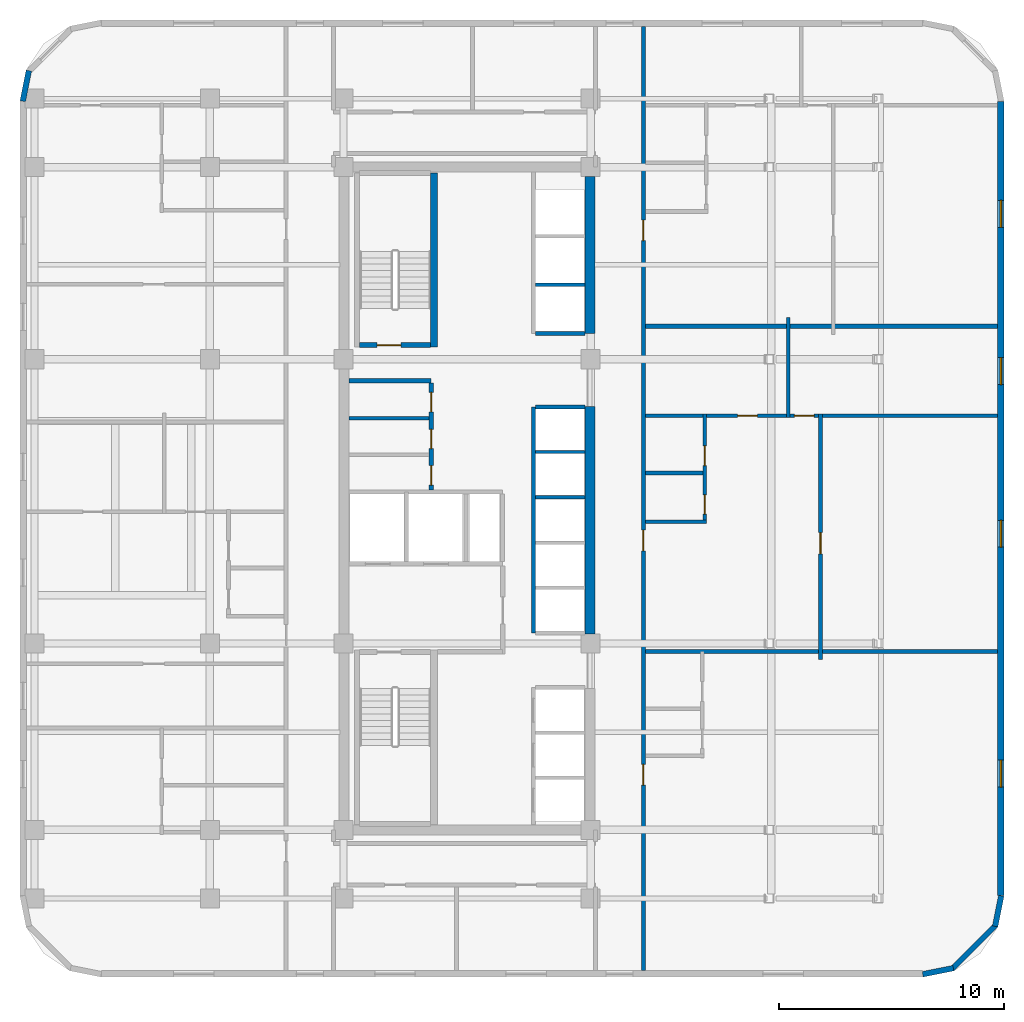
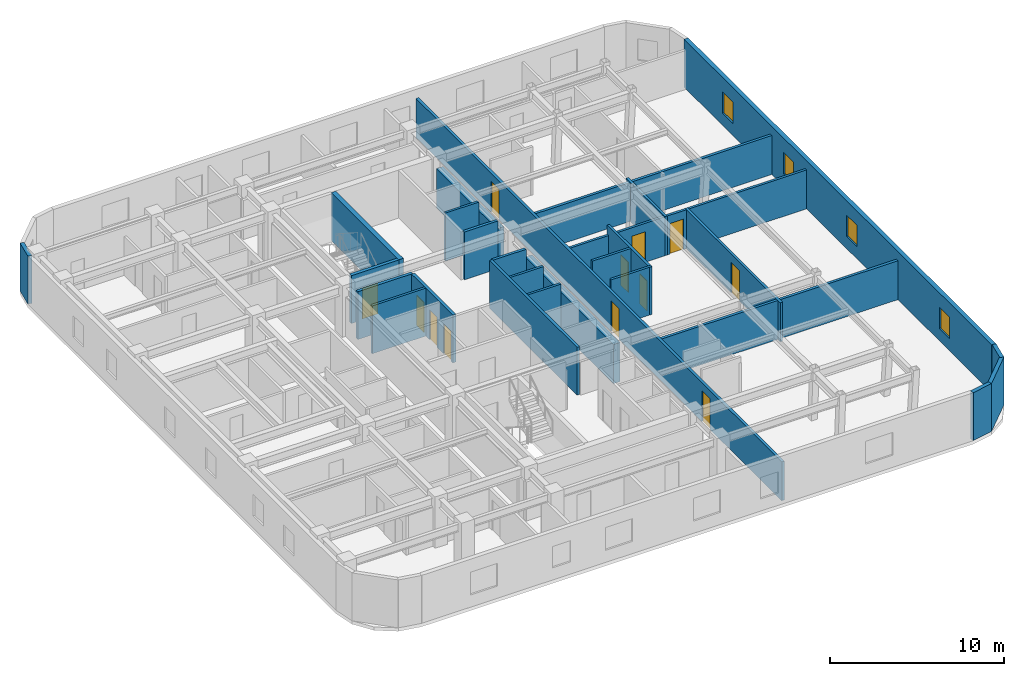
# One storey, part 5 of 8: 27 walls, 12 doors, 4 windows, 16 openings.
"""IFC4 building model written with IfcOpenShell, lengths in metres."""

from ifc_helpers import new_model, si_unit, direction, frame, frame_2d, origin, place, context, subcontext, project, spatial, rectangle, extrude, material, layer, layer_set, type_object, element, fill, save


model = new_model("IFC4")

# Units and contexts
model_context = context("Model", 3, precision=1e-05, world=origin(), true_north=direction((0.0, 1.0)))
body_context = subcontext(model_context, "Body", "Model", "MODEL_VIEW")
ifc_project = project(units=[si_unit("LENGTHUNIT", "METRE"), si_unit("AREAUNIT", "SQUARE_METRE"), si_unit("VOLUMEUNIT", "CUBIC_METRE"), si_unit("PLANEANGLEUNIT", "RADIAN"), si_unit("MASSUNIT", "GRAM", prefix="KILO")], contexts=[model_context])

# Site, building, storey
site_placement = place(None, origin())
site = spatial("IfcSite", under=ifc_project, at=site_placement, CompositionType="ELEMENT")
building_placement = place(site_placement, origin())
building = spatial("IfcBuilding", under=site, at=building_placement, Name="Ochreholt Gables", CompositionType="ELEMENT")
storey_placement = place(building_placement, frame((0.0, 0.0, 91.199951171875)))
storey = spatial("IfcBuildingStorey", under=building, at=storey_placement, Name="L23", CompositionType="ELEMENT", Elevation=91.199951171875)

# Walls
ifc_material_1 = material(Name="Concrete 60 MPa", Category="concrete")
ifc_layer_1 = layer(ifc_material_1, 0.449951171875, Name="Concrete 60 MPa")
ifc_layer_set_1 = layer_set([ifc_layer_1], Name="Concrete 60 MPa")
wall_type_1 = type_object("IfcWallType", Name="WALL-CSW-450", PredefinedType="SHEAR", material=ifc_layer_set_1)
wall_1_placement = place(storey_placement, frame((35.175048828125, 17.97509765625, 0.0), z_axis=(0.0, 0.0, 1.0), x_axis=(0.0, 1.0, 0.0)))
element("IfcWall", 1, at=wall_1_placement, inside=storey, type_object=wall_type_1, Name="L23 Core Central-East Shear Wall", PredefinedType="SHEAR", context=body_context, shape_type="SweptSolid", body=[
    extrude(rectangle(XDim=10.125, YDim=0.449951171875, at=frame_2d((5.0625, 0.0))), origin(), (0.0, 0.0, 1.0), 2.7490234375),
])
wall_2_placement = place(storey_placement, frame((35.175048828125, 31.35009765625, 0.0), z_axis=(0.0, 0.0, 1.0), x_axis=(0.0, 1.0, 0.0)))
element("IfcWall", 2, at=wall_2_placement, inside=storey, type_object=wall_type_1, Name="L23 Core North-East Shear Wall", PredefinedType="SHEAR", context=body_context, shape_type="SweptSolid", body=[
    extrude(rectangle(XDim=6.974853515625, YDim=0.449951171875, at=frame_2d((3.4873046875, 0.0))), origin(), (0.0, 0.0, 1.0), 2.7490234375),
])

# Wall, openings, windows
ifc_material_2 = material(Name="Precast concrete 40 MPa", Category="concrete")
ifc_layer_2 = layer(ifc_material_2, 0.280029296875, Name="Precast concrete 40 MPa")
ifc_layer_set_2 = layer_set([ifc_layer_2], Name="Precast concrete 40 MPa")
wall_type_2 = type_object("IfcWallType", Name="WALL-EXT-280", PredefinedType="SOLIDWALL", material=ifc_layer_set_2)
wall_3_placement = place(storey_placement, frame((53.4599609375, 6.320068359375, 0.0), z_axis=(0.0, 0.0, 1.0), x_axis=(0.0, 1.0, 0.0)))
wall_3 = element("IfcWall", 3, at=wall_3_placement, inside=storey, type_object=wall_type_2, Name="L23 East Exterior Wall", PredefinedType="SOLIDWALL", context=body_context, shape_type="SweptSolid", body=[
    extrude(rectangle(XDim=35.35986328125, YDim=0.280029296875, at=frame_2d((17.679931640625, 0.0))), origin(), (0.0, 0.0, 1.0), 3.360107421875),
])
opening_1_placement = place(wall_3_placement, frame((4.83203125, 0.0, 0.85009765625)))
opening_1 = element("IfcOpeningElement", 4, at=opening_1_placement, cuts=wall_3, Name="Opening WN-3", PredefinedType="OPENING", context=body_context, shape_type="SweptSolid", body=[
    extrude(rectangle(XDim=1.199951171875, YDim=1.5, at=frame_2d((0.60009765625, 0.75))), frame((0.0, 0.14990234375, 0.0), z_axis=(0.0, -1.0, 0.0), x_axis=(1.0, 0.0, 0.0)), (0.0, 0.0, 1.0), 0.300048828125),
])
opening_2_placement = place(wall_3_placement, frame((15.510986328125, 0.0, 0.85009765625)))
opening_2 = element("IfcOpeningElement", 5, at=opening_2_placement, cuts=wall_3, Name="Opening WN-3", PredefinedType="OPENING", context=body_context, shape_type="SweptSolid", body=[
    extrude(rectangle(XDim=1.199951171875, YDim=1.5, at=frame_2d((0.60009765625, 0.75))), frame((0.0, 0.14990234375, 0.0), z_axis=(0.0, -1.0, 0.0), x_axis=(1.0, 0.0, 0.0)), (0.0, 0.0, 1.0), 0.300048828125),
])
opening_3_placement = place(wall_3_placement, frame((22.7529296875, 0.0, 0.85009765625)))
opening_3 = element("IfcOpeningElement", 6, at=opening_3_placement, cuts=wall_3, Name="Opening WN-3", PredefinedType="OPENING", context=body_context, shape_type="SweptSolid", body=[
    extrude(rectangle(XDim=1.199951171875, YDim=1.5, at=frame_2d((0.60009765625, 0.75))), frame((0.0, 0.14990234375, 0.0), z_axis=(0.0, -1.0, 0.0), x_axis=(1.0, 0.0, 0.0)), (0.0, 0.0, 1.0), 0.300048828125),
])
opening_4_placement = place(wall_3_placement, frame((29.75390625, 0.0, 0.85009765625)))
opening_4 = element("IfcOpeningElement", 7, at=opening_4_placement, cuts=wall_3, Name="Opening WN-3", PredefinedType="OPENING", context=body_context, shape_type="SweptSolid", body=[
    extrude(rectangle(XDim=1.199951171875, YDim=1.5, at=frame_2d((0.60009765625, 0.75))), frame((0.0, 0.14990234375, 0.0), z_axis=(0.0, -1.0, 0.0), x_axis=(1.0, 0.0, 0.0)), (0.0, 0.0, 1.0), 0.300048828125),
])
ifc_material_3 = material(Name="Triple-Glazed Thermally Broken Aluminium Window", Category="aluminium")
window_type = type_object("IfcWindowType", Name="WIN-RES-1200", PartitioningType="SINGLE_PANEL", PredefinedType="WINDOW", material=ifc_material_3)
window_1_placement = place(opening_1_placement, origin())
window_1 = element("IfcWindow", 8, at=window_1_placement, inside=storey, type_object=window_type, Name="L23 Window W-EXT-E-L23-1", OverallHeight=1.5, OverallWidth=1.199951171875, PartitioningType="SINGLE_PANEL", PredefinedType="WINDOW", context=body_context, shape_type="SweptSolid", body=[
    extrude(rectangle(XDim=1.199951171875, YDim=1.5, at=frame_2d((0.60009765625, 0.75))), frame((0.0, 0.030029296875, 0.0), z_axis=(0.0, -1.0, 0.0), x_axis=(1.0, 0.0, 0.0)), (0.0, 0.0, 1.0), 0.06005859375),
])
fill(opening_1, window_1)
window_2_placement = place(opening_2_placement, origin())
window_2 = element("IfcWindow", 9, at=window_2_placement, inside=storey, type_object=window_type, Name="L23 Window W-EXT-E-L23-2", OverallHeight=1.5, OverallWidth=1.199951171875, PartitioningType="SINGLE_PANEL", PredefinedType="WINDOW", context=body_context, shape_type="SweptSolid", body=[
    extrude(rectangle(XDim=1.199951171875, YDim=1.5, at=frame_2d((0.60009765625, 0.75))), frame((0.0, 0.030029296875, 0.0), z_axis=(0.0, -1.0, 0.0), x_axis=(1.0, 0.0, 0.0)), (0.0, 0.0, 1.0), 0.06005859375),
])
fill(opening_2, window_2)
window_3_placement = place(opening_3_placement, origin())
window_3 = element("IfcWindow", 10, at=window_3_placement, inside=storey, type_object=window_type, Name="L23 Window W-EXT-E-L23-3", OverallHeight=1.5, OverallWidth=1.199951171875, PartitioningType="SINGLE_PANEL", PredefinedType="WINDOW", context=body_context, shape_type="SweptSolid", body=[
    extrude(rectangle(XDim=1.199951171875, YDim=1.5, at=frame_2d((0.60009765625, 0.75))), frame((0.0, 0.030029296875, 0.0), z_axis=(0.0, -1.0, 0.0), x_axis=(1.0, 0.0, 0.0)), (0.0, 0.0, 1.0), 0.06005859375),
])
fill(opening_3, window_3)
window_4_placement = place(opening_4_placement, origin())
window_4 = element("IfcWindow", 11, at=window_4_placement, inside=storey, type_object=window_type, Name="L23 Window W-EXT-E-L23-4", OverallHeight=1.5, OverallWidth=1.199951171875, PartitioningType="SINGLE_PANEL", PredefinedType="WINDOW", context=body_context, shape_type="SweptSolid", body=[
    extrude(rectangle(XDim=1.199951171875, YDim=1.5, at=frame_2d((0.60009765625, 0.75))), frame((0.0, 0.030029296875, 0.0), z_axis=(0.0, -1.0, 0.0), x_axis=(1.0, 0.0, 0.0)), (0.0, 0.0, 1.0), 0.06005859375),
])
fill(opening_4, window_4)

# Walls
ifc_layer_3 = layer(ifc_material_2, 0.25, Name="Precast concrete 40 MPa")
ifc_layer_set_3 = layer_set([ifc_layer_3], Name="Precast concrete 40 MPa")
wall_type_3 = type_object("IfcWallType", Name="WALL-EXT-CNR", PredefinedType="SOLIDWALL", material=ifc_layer_set_3)
wall_4_placement = place(storey_placement, frame((49.9833984375, 2.82421875, 0.0), z_axis=(0.0, 0.0, 1.0), x_axis=(0.980809899341, 0.19496651342, 0.0)))
element("IfcWall", 12, at=wall_4_placement, inside=storey, type_object=wall_type_3, Name="L23 Rounded Corner Wall SE-1", PredefinedType="SOLIDWALL", context=body_context, shape_type="SweptSolid", body=[
    extrude(rectangle(XDim=1.388671875, YDim=0.25, at=frame_2d((0.6943359375, 0.0))), origin(), (0.0, 0.0, 1.0), 3.360107421875),
])
wall_5_placement = place(storey_placement, frame((51.294921875, 3.068115234375, 0.0), z_axis=(0.0, 0.0, 1.0), x_axis=(0.707151344399, 0.707062215165, 0.0)))
element("IfcWall", 13, at=wall_5_placement, inside=storey, type_object=wall_type_3, Name="L23 Rounded Corner Wall SE-2", PredefinedType="SOLIDWALL", context=body_context, shape_type="SweptSolid", body=[
    extrude(rectangle(XDim=2.7392578125, YDim=0.25, at=frame_2d((1.36962890625, 0.0))), origin(), (0.0, 0.0, 1.0), 3.360107421875),
])
for number, where, z_axis, x_axis, name in (
    (14, (53.205078125, 4.95458984375, 0.0), (0.0, 0.0, 1.0), (0.195000137217, 0.980803214965, 0.0), "L23 Rounded Corner Wall SE-3"),
    (15, (10.195068359375, 43.04541015625, 0.0), (0.0, 0.0, 1.0), (-0.195000137217, -0.980803214965, 0.0), "L23 Rounded Corner Wall NW-3"),
):
    element("IfcWall", number, at=place(storey_placement, frame(where, z_axis=z_axis, x_axis=x_axis)), inside=storey, type_object=wall_type_3, Name=name, PredefinedType="SOLIDWALL", context=body_context, shape_type="SweptSolid", body=[
        extrude(rectangle(XDim=1.388427734375, YDim=0.25, at=frame_2d((0.6943359375, 0.0))), origin(), (0.0, 0.0, 1.0), 3.360107421875),
    ])
ifc_material_4 = material(Name="Concrete 40 MPa", Category="concrete")
ifc_layer_4 = layer(ifc_material_4, 0.199951171875, Name="Concrete 40 MPa")
ifc_layer_set_4 = layer_set([ifc_layer_4], Name="Concrete 40 MPa")
wall_type_4 = type_object("IfcWallType", Name="WALL-INT-CF200", PredefinedType="STANDARD", material=ifc_layer_set_4)
wall_6_placement = place(storey_placement, frame((24.449951171875, 29.239990234375, 0.0), z_axis=(0.0, 0.0, 1.0), x_axis=(1.0, 0.0, 0.0)))
element("IfcWall", 16, at=wall_6_placement, inside=storey, type_object=wall_type_4, Name="L23 Interior Wall WI-SRVN-L23", PredefinedType="STANDARD", context=body_context, shape_type="SweptSolid", body=[
    extrude(rectangle(XDim=3.650146484375, YDim=0.199951171875, at=frame_2d((1.8251953125, 0.0))), origin(), (0.0, 0.0, 1.0), 3.360107421875),
])

# Wall, openings, doors
wall_7_placement = place(storey_placement, frame((28.10009765625, 24.389892578125, 0.0), z_axis=(0.0, 0.0, 1.0), x_axis=(0.0, 1.0, 0.0)))
wall_7 = element("IfcWall", 17, at=wall_7_placement, inside=storey, type_object=wall_type_4, Name="L23 Interior Wall WI-SRVE-L23", PredefinedType="STANDARD", context=body_context, shape_type="SweptSolid", body=[
    extrude(rectangle(XDim=4.75, YDim=0.199951171875, at=frame_2d((2.375, 0.0))), origin(), (0.0, 0.0, 1.0), 3.360107421875),
])
opening_5_placement = place(wall_7_placement, frame((0.2099609375, 0.0, 0.0)))
opening_5 = element("IfcOpeningElement", 18, at=opening_5_placement, cuts=wall_7, Name="Opening D-SV2", PredefinedType="OPENING", context=body_context, shape_type="SweptSolid", body=[
    extrude(rectangle(XDim=0.860107421875, YDim=2.10009765625, at=frame_2d((0.43017578125, 1.050048828125))), frame((0.0, 0.10986328125, 0.0), z_axis=(0.0, -1.0, 0.0), x_axis=(1.0, 0.0, 0.0)), (0.0, 0.0, 1.0), 0.219970703125),
])
opening_6_placement = place(wall_7_placement, frame((1.830078125, 0.0, 0.0)))
opening_6 = element("IfcOpeningElement", 19, at=opening_6_placement, cuts=wall_7, Name="Opening D-SV2", PredefinedType="OPENING", context=body_context, shape_type="SweptSolid", body=[
    extrude(rectangle(XDim=0.860107421875, YDim=2.10009765625, at=frame_2d((0.43017578125, 1.050048828125))), frame((0.0, 0.10986328125, 0.0), z_axis=(0.0, -1.0, 0.0), x_axis=(1.0, 0.0, 0.0)), (0.0, 0.0, 1.0), 0.219970703125),
])
opening_7_placement = place(wall_7_placement, frame((3.469970703125, 0.0, 0.0)))
opening_7 = element("IfcOpeningElement", 20, at=opening_7_placement, cuts=wall_7, Name="Opening D-SV2", PredefinedType="OPENING", context=body_context, shape_type="SweptSolid", body=[
    extrude(rectangle(XDim=0.860107421875, YDim=2.10009765625, at=frame_2d((0.43017578125, 1.050048828125))), frame((0.0, 0.10986328125, 0.0), z_axis=(0.0, -1.0, 0.0), x_axis=(1.0, 0.0, 0.0)), (0.0, 0.0, 1.0), 0.219970703125),
])
ifc_material_5 = material(Name="Hollow Metal Steel", Category="steel")
door_type_1 = type_object("IfcDoorType", Name="DR-INT-SRV860", OperationType="NOTDEFINED", PredefinedType="DOOR", material=ifc_material_5)
door_1_placement = place(opening_5_placement, origin())
door_1 = element("IfcDoor", 21, at=door_1_placement, inside=storey, type_object=door_type_1, Name="L23 Door D-SRV1-L23", OperationType="SINGLE_SWING_LEFT", OverallHeight=2.10009765625, OverallWidth=0.860107421875, PredefinedType="DOOR", context=body_context, shape_type="SweptSolid", body=[
    extrude(rectangle(XDim=0.860107421875, YDim=2.10009765625, at=frame_2d((0.43017578125, 1.050048828125))), frame((0.0, 0.02490234375, 0.0), z_axis=(0.0, -1.0, 0.0), x_axis=(1.0, 0.0, 0.0)), (0.0, 0.0, 1.0), 0.050048828125),
])
fill(opening_5, door_1)
door_2_placement = place(opening_6_placement, origin())
door_2 = element("IfcDoor", 22, at=door_2_placement, inside=storey, type_object=door_type_1, Name="L23 Door D-SRV2-L23", OperationType="SINGLE_SWING_RIGHT", OverallHeight=2.10009765625, OverallWidth=0.860107421875, PredefinedType="DOOR", context=body_context, shape_type="SweptSolid", body=[
    extrude(rectangle(XDim=0.860107421875, YDim=2.10009765625, at=frame_2d((0.43017578125, 1.050048828125))), frame((0.0, 0.02490234375, 0.0), z_axis=(0.0, -1.0, 0.0), x_axis=(1.0, 0.0, 0.0)), (0.0, 0.0, 1.0), 0.050048828125),
])
fill(opening_6, door_2)
door_3_placement = place(opening_7_placement, origin())
door_3 = element("IfcDoor", 23, at=door_3_placement, inside=storey, type_object=door_type_1, Name="L23 Door D-SRV3-L23", OperationType="SINGLE_SWING_LEFT", OverallHeight=2.10009765625, OverallWidth=0.860107421875, PredefinedType="DOOR", context=body_context, shape_type="SweptSolid", body=[
    extrude(rectangle(XDim=0.860107421875, YDim=2.10009765625, at=frame_2d((0.43017578125, 1.050048828125))), frame((0.0, 0.02490234375, 0.0), z_axis=(0.0, -1.0, 0.0), x_axis=(1.0, 0.0, 0.0)), (0.0, 0.0, 1.0), 0.050048828125),
])
fill(opening_7, door_3)

ifc_material_6 = material(Name="Fire-Rated Gypsum Acoustic Partition", Category="gypsum")
ifc_layer_5 = layer(ifc_material_6, 0.179931640625, Name="Fire-Rated Gypsum Acoustic Partition")
ifc_layer_set_5 = layer_set([ifc_layer_5], Name="Fire-Rated Gypsum Acoustic Partition")
wall_type_5 = type_object("IfcWallType", Name="WALL-INT-CR180", PredefinedType="STANDARD", material=ifc_layer_set_5)
wall_8_placement = place(storey_placement, frame((37.550048828125, 2.97998046875, 0.0), z_axis=(0.0, 0.0, 1.0), x_axis=(0.0, 1.0, 0.0)))
wall_8 = element("IfcWall", 24, at=wall_8_placement, inside=storey, type_object=wall_type_5, Name="L23 Interior Wall WI-C1E-L23", PredefinedType="STANDARD", context=body_context, shape_type="SweptSolid", body=[
    extrude(rectangle(XDim=42.0400390625, YDim=0.179931640625, at=frame_2d((21.02001953125, 0.0))), origin(), (0.0, 0.0, 1.0), 2.73095703125),
])
opening_8_placement = place(wall_8_placement, frame((8.263916015625, 0.0, 0.0)))
opening_8 = element("IfcOpeningElement", 25, at=opening_8_placement, cuts=wall_8, Name="Opening D-UN1", PredefinedType="OPENING", context=body_context, shape_type="SweptSolid", body=[
    extrude(rectangle(XDim=0.919921875, YDim=2.14990234375, at=frame_2d((0.4599609375, 1.074951171875))), frame((0.0, 0.099853515625, 0.0), z_axis=(0.0, -1.0, 0.0), x_axis=(1.0, 0.0, 0.0)), (0.0, 0.0, 1.0), 0.199951171875),
])
opening_9_placement = place(wall_8_placement, frame((18.69091796875, 0.0, 0.0)))
opening_9 = element("IfcOpeningElement", 26, at=opening_9_placement, cuts=wall_8, Name="Opening D-UN1", PredefinedType="OPENING", context=body_context, shape_type="SweptSolid", body=[
    extrude(rectangle(XDim=0.919921875, YDim=2.14990234375, at=frame_2d((0.4599609375, 1.074951171875))), frame((0.0, 0.099853515625, 0.0), z_axis=(0.0, -1.0, 0.0), x_axis=(1.0, 0.0, 0.0)), (0.0, 0.0, 1.0), 0.199951171875),
])
opening_10_placement = place(wall_8_placement, frame((32.494384765625, 0.0, 0.0)))
opening_10 = element("IfcOpeningElement", 27, at=opening_10_placement, cuts=wall_8, Name="Opening D-UN1", PredefinedType="OPENING", context=body_context, shape_type="SweptSolid", body=[
    extrude(rectangle(XDim=0.919921875, YDim=2.14990234375, at=frame_2d((0.4599609375, 1.074951171875))), frame((0.0, 0.099853515625, 0.0), z_axis=(0.0, -1.0, 0.0), x_axis=(1.0, 0.0, 0.0)), (0.0, 0.0, 1.0), 0.199951171875),
])
ifc_material_7 = material(Name="Engineered Oak Timber", Category="wood")
door_type_2 = type_object("IfcDoorType", Name="DR-INT-UNT920", OperationType="NOTDEFINED", PredefinedType="DOOR", material=ifc_material_7)
door_4_placement = place(opening_8_placement, origin())
door_4 = element("IfcDoor", 28, at=door_4_placement, inside=storey, type_object=door_type_2, Name="L23 Door D-U-L23E1-ENT", OperationType="SINGLE_SWING_RIGHT", OverallHeight=2.14990234375, OverallWidth=0.919921875, PredefinedType="DOOR", context=body_context, shape_type="SweptSolid", body=[
    extrude(rectangle(XDim=0.919921875, YDim=2.14990234375, at=frame_2d((0.4599609375, 1.074951171875))), frame((0.0, 0.02490234375, 0.0), z_axis=(0.0, -1.0, 0.0), x_axis=(1.0, 0.0, 0.0)), (0.0, 0.0, 1.0), 0.050048828125),
])
fill(opening_8, door_4)
door_5_placement = place(opening_9_placement, origin())
door_5 = element("IfcDoor", 29, at=door_5_placement, inside=storey, type_object=door_type_2, Name="L23 Door D-U-L23E2-ENT", OperationType="SINGLE_SWING_LEFT", OverallHeight=2.14990234375, OverallWidth=0.919921875, PredefinedType="DOOR", context=body_context, shape_type="SweptSolid", body=[
    extrude(rectangle(XDim=0.919921875, YDim=2.14990234375, at=frame_2d((0.4599609375, 1.074951171875))), frame((0.0, 0.02490234375, 0.0), z_axis=(0.0, -1.0, 0.0), x_axis=(1.0, 0.0, 0.0)), (0.0, 0.0, 1.0), 0.050048828125),
])
fill(opening_9, door_5)
door_6_placement = place(opening_10_placement, origin())
door_6 = element("IfcDoor", 30, at=door_6_placement, inside=storey, type_object=door_type_2, Name="L23 Door D-U-L23E3-ENT", OperationType="SINGLE_SWING_RIGHT", OverallHeight=2.14990234375, OverallWidth=0.919921875, PredefinedType="DOOR", context=body_context, shape_type="SweptSolid", body=[
    extrude(rectangle(XDim=0.919921875, YDim=2.14990234375, at=frame_2d((0.4599609375, 1.074951171875))), frame((0.0, 0.02490234375, 0.0), z_axis=(0.0, -1.0, 0.0), x_axis=(1.0, 0.0, 0.0)), (0.0, 0.0, 1.0), 0.050048828125),
])
fill(opening_10, door_6)

# Walls
ifc_material_8 = material(Name="Double-Stud Acoustic Demising Wall", Category="gypsum")
ifc_layer_6 = layer(ifc_material_8, 0.179931640625, Name="Double-Stud Acoustic Demising Wall")
ifc_layer_set_6 = layer_set([ifc_layer_6], Name="Double-Stud Acoustic Demising Wall")
wall_type_6 = type_object("IfcWallType", Name="WALL-INT-DM180", PredefinedType="PARTITIONING", material=ifc_layer_set_6)
for number, where, z_axis, x_axis, name in (
    (31, (37.639892578125, 17.18408203125, 0.0), (0.0, 0.0, 1.0), (1.0, 0.0, 0.0), "L23 Interior Wall WI-UDE2-L23"),
    (32, (37.639892578125, 31.66796875, 0.0), (0.0, 0.0, 1.0), (1.0, 0.0, 0.0), "L23 Interior Wall WI-UDE3-L23"),
):
    element("IfcWall", number, at=place(storey_placement, frame(where, z_axis=z_axis, x_axis=x_axis)), inside=storey, type_object=wall_type_6, Name=name, PredefinedType="PARTITIONING", context=body_context, shape_type="SweptSolid", body=[
        extrude(rectangle(XDim=15.68017578125, YDim=0.179931640625, at=frame_2d((7.840087890625, 0.0))), origin(), (0.0, 0.0, 1.0), 2.73095703125),
    ])
ifc_material_9 = material(Name="Moisture-Resistant Plumbing Chase Wall", Category="gypsum")
ifc_layer_7 = layer(ifc_material_9, 0.159912109375, Name="Moisture-Resistant Plumbing Chase Wall")
ifc_layer_set_7 = layer_set([ifc_layer_7], Name="Moisture-Resistant Plumbing Chase Wall")
wall_type_7 = type_object("IfcWallType", Name="WALL-INT-PL160", PredefinedType="PLUMBINGWALL", material=ifc_layer_set_7)
wall_9_placement = place(storey_placement, frame((37.639892578125, 22.970947265625, 0.0), z_axis=(0.0, 0.0, 1.0), x_axis=(1.0, 0.0, 0.0)))
element("IfcWall", 33, at=wall_9_placement, inside=storey, type_object=wall_type_7, Name="L23 Interior Wall WU-L23E2-FYS", PredefinedType="PLUMBINGWALL", context=body_context, shape_type="SweptSolid", body=[
    extrude(rectangle(XDim=2.712158203125, YDim=0.159912109375, at=frame_2d((1.35595703125, 0.0))), origin(), (0.0, 0.0, 1.0), 3.360107421875),
])

# Wall, openings, doors
wall_10_placement = place(storey_placement, frame((40.27197265625, 22.881103515625, 0.0), z_axis=(0.0, 0.0, 1.0), x_axis=(0.0, 1.0, 0.0)))
wall_10 = element("IfcWall", 34, at=wall_10_placement, inside=storey, type_object=wall_type_7, Name="L23 Interior Wall WU-L23E2-WX", PredefinedType="PLUMBINGWALL", context=body_context, shape_type="SweptSolid", body=[
    extrude(rectangle(XDim=4.886962890625, YDim=0.159912109375, at=frame_2d((2.443359375, 0.0))), origin(), (0.0, 0.0, 1.0), 3.360107421875),
])
opening_11_placement = place(wall_10_placement, frame((0.419921875, 0.0, 0.0)))
opening_11 = element("IfcOpeningElement", 35, at=opening_11_placement, cuts=wall_10, Name="Opening D-BT1", PredefinedType="OPENING", context=body_context, shape_type="SweptSolid", body=[
    extrude(rectangle(XDim=0.860107421875, YDim=2.1201171875, at=frame_2d((0.43017578125, 1.06005859375))), frame((0.0, 0.08984375, 0.0), z_axis=(0.0, -1.0, 0.0), x_axis=(1.0, 0.0, 0.0)), (0.0, 0.0, 1.0), 0.179931640625),
])
opening_12_placement = place(wall_10_placement, frame((2.585205078125, 0.0, 0.0)))
opening_12 = element("IfcOpeningElement", 36, at=opening_12_placement, cuts=wall_10, Name="Opening D-GN2", PredefinedType="OPENING", context=body_context, shape_type="SweptSolid", body=[
    extrude(rectangle(XDim=0.8798828125, YDim=2.1201171875, at=frame_2d((0.43994140625, 1.06005859375))), frame((0.0, 0.08984375, 0.0), z_axis=(0.0, -1.0, 0.0), x_axis=(1.0, 0.0, 0.0)), (0.0, 0.0, 1.0), 0.179931640625),
])
door_type_3 = type_object("IfcDoorType", Name="DR-INT-BTH860", OperationType="NOTDEFINED", PredefinedType="DOOR", material=ifc_material_7)
door_7_placement = place(opening_11_placement, origin())
door_7 = element("IfcDoor", 37, at=door_7_placement, inside=storey, type_object=door_type_3, Name="L23 Door D-U-L23E2-BTH", OperationType="SINGLE_SWING_RIGHT", OverallHeight=2.1201171875, OverallWidth=0.860107421875, PredefinedType="DOOR", context=body_context, shape_type="SweptSolid", body=[
    extrude(rectangle(XDim=0.860107421875, YDim=2.1201171875, at=frame_2d((0.43017578125, 1.06005859375))), frame((0.0, 0.02490234375, 0.0), z_axis=(0.0, -1.0, 0.0), x_axis=(1.0, 0.0, 0.0)), (0.0, 0.0, 1.0), 0.050048828125),
])
fill(opening_11, door_7)
door_type_4 = type_object("IfcDoorType", Name="DR-INT-GEN880", OperationType="NOTDEFINED", PredefinedType="DOOR", material=ifc_material_7)
door_8_placement = place(opening_12_placement, origin())
door_8 = element("IfcDoor", 38, at=door_8_placement, inside=storey, type_object=door_type_4, Name="L23 Door D-U-L23E2-KIT", OperationType="SINGLE_SWING_LEFT", OverallHeight=2.1201171875, OverallWidth=0.8798828125, PredefinedType="DOOR", context=body_context, shape_type="SweptSolid", body=[
    extrude(rectangle(XDim=0.8798828125, YDim=2.1201171875, at=frame_2d((0.43994140625, 1.06005859375))), frame((0.0, 0.02490234375, 0.0), z_axis=(0.0, -1.0, 0.0), x_axis=(1.0, 0.0, 0.0)), (0.0, 0.0, 1.0), 0.050048828125),
])
fill(opening_12, door_8)

# Walls
wall_11_placement = place(storey_placement, frame((37.639892578125, 25.13623046875, 0.0), z_axis=(0.0, 0.0, 1.0), x_axis=(1.0, 0.0, 0.0)))
element("IfcWall", 39, at=wall_11_placement, inside=storey, type_object=wall_type_7, Name="L23 Interior Wall WU-L23E2-WK", PredefinedType="PLUMBINGWALL", context=body_context, shape_type="SweptSolid", body=[
    extrude(rectangle(XDim=2.552001953125, YDim=0.159912109375, at=frame_2d((1.27587890625, 0.0))), origin(), (0.0, 0.0, 1.0), 3.360107421875),
])
ifc_material_10 = material(Name="Gypsum Acoustic Stud Partition", Category="gypsum")
ifc_layer_8 = layer(ifc_material_10, 0.159912109375, Name="Gypsum Acoustic Stud Partition")
ifc_layer_set_8 = layer_set([ifc_layer_8], Name="Gypsum Acoustic Stud Partition")
wall_type_8 = type_object("IfcWallType", Name="WALL-INT-PT160", PredefinedType="PARTITIONING", material=ifc_layer_set_8)
wall_12_placement = place(storey_placement, frame((24.449951171875, 27.580078125, 0.0), z_axis=(0.0, 0.0, 1.0), x_axis=(1.0, 0.0, 0.0)))
element("IfcWall", 40, at=wall_12_placement, inside=storey, type_object=wall_type_8, Name="L23 Interior Wall WI-SRVP2-L23", PredefinedType="PARTITIONING", context=body_context, shape_type="SweptSolid", body=[
    extrude(rectangle(XDim=3.550048828125, YDim=0.159912109375, at=frame_2d((1.77490234375, 0.0))), origin(), (0.0, 0.0, 1.0), 3.360107421875),
])

# Wall, openings, doors
wall_13_placement = place(storey_placement, frame((37.639892578125, 27.677978515625, 0.0), z_axis=(0.0, 0.0, 1.0), x_axis=(1.0, 0.0, 0.0)))
wall_13 = element("IfcWall", 41, at=wall_13_placement, inside=storey, type_object=wall_type_8, Name="L23 Interior Wall WU-L23E2-MN", PredefinedType="PARTITIONING", context=body_context, shape_type="SweptSolid", body=[
    extrude(rectangle(XDim=15.68017578125, YDim=0.159912109375, at=frame_2d((7.840087890625, 0.0))), origin(), (0.0, 0.0, 1.0), 2.73095703125),
])
opening_13_placement = place(wall_13_placement, frame((4.10302734375, 0.0, 0.0)))
opening_13 = element("IfcOpeningElement", 42, at=opening_13_placement, cuts=wall_13, Name="Opening D-BD2", PredefinedType="OPENING", context=body_context, shape_type="SweptSolid", body=[
    extrude(rectangle(XDim=0.8798828125, YDim=2.139892578125, at=frame_2d((0.43994140625, 1.06982421875))), frame((0.0, 0.08984375, 0.0), z_axis=(0.0, -1.0, 0.0), x_axis=(1.0, 0.0, 0.0)), (0.0, 0.0, 1.0), 0.179931640625),
])
opening_14_placement = place(wall_13_placement, frame((6.634033203125, 0.0, 0.0)))
opening_14 = element("IfcOpeningElement", 43, at=opening_14_placement, cuts=wall_13, Name="Opening D-BD2", PredefinedType="OPENING", context=body_context, shape_type="SweptSolid", body=[
    extrude(rectangle(XDim=0.8798828125, YDim=2.139892578125, at=frame_2d((0.43994140625, 1.06982421875))), frame((0.0, 0.08984375, 0.0), z_axis=(0.0, -1.0, 0.0), x_axis=(1.0, 0.0, 0.0)), (0.0, 0.0, 1.0), 0.179931640625),
])
door_type_5 = type_object("IfcDoorType", Name="DR-INT-BED880", OperationType="NOTDEFINED", PredefinedType="DOOR", material=ifc_material_7)
door_9_placement = place(opening_13_placement, origin())
door_9 = element("IfcDoor", 44, at=door_9_placement, inside=storey, type_object=door_type_5, Name="L23 Door D-U-L23E2-BD1", OperationType="SINGLE_SWING_LEFT", OverallHeight=2.139892578125, OverallWidth=0.8798828125, PredefinedType="DOOR", context=body_context, shape_type="SweptSolid", body=[
    extrude(rectangle(XDim=0.8798828125, YDim=2.139892578125, at=frame_2d((0.43994140625, 1.06982421875))), frame((0.0, 0.02490234375, 0.0), z_axis=(0.0, -1.0, 0.0), x_axis=(1.0, 0.0, 0.0)), (0.0, 0.0, 1.0), 0.050048828125),
])
fill(opening_13, door_9)
door_10_placement = place(opening_14_placement, origin())
door_10 = element("IfcDoor", 45, at=door_10_placement, inside=storey, type_object=door_type_5, Name="L23 Door D-U-L23E2-BD2", OperationType="SINGLE_SWING_RIGHT", OverallHeight=2.139892578125, OverallWidth=0.8798828125, PredefinedType="DOOR", context=body_context, shape_type="SweptSolid", body=[
    extrude(rectangle(XDim=0.8798828125, YDim=2.139892578125, at=frame_2d((0.43994140625, 1.06982421875))), frame((0.0, 0.02490234375, 0.0), z_axis=(0.0, -1.0, 0.0), x_axis=(1.0, 0.0, 0.0)), (0.0, 0.0, 1.0), 0.050048828125),
])
fill(opening_14, door_10)

# Wall, opening, door
wall_14_placement = place(storey_placement, frame((45.43408203125, 16.823974609375, 0.0), z_axis=(0.0, 0.0, 1.0), x_axis=(0.0, 1.0, 0.0)))
wall_14 = element("IfcWall", 46, at=wall_14_placement, inside=storey, type_object=wall_type_8, Name="L23 Interior Wall WU-L23E2-DNV", PredefinedType="PARTITIONING", context=body_context, shape_type="SweptSolid", body=[
    extrude(rectangle(XDim=10.93408203125, YDim=0.159912109375, at=frame_2d((5.467041015625, 0.0))), origin(), (0.0, 0.0, 1.0), 2.73095703125),
])
opening_15_placement = place(wall_14_placement, frame((4.70703125, 0.0, 0.0)))
opening_15 = element("IfcOpeningElement", 47, at=opening_15_placement, cuts=wall_14, Name="Opening D-GN1", PredefinedType="OPENING", context=body_context, shape_type="SweptSolid", body=[
    extrude(rectangle(XDim=0.949951171875, YDim=2.14990234375, at=frame_2d((0.47509765625, 1.074951171875))), frame((0.0, 0.08984375, 0.0), z_axis=(0.0, -1.0, 0.0), x_axis=(1.0, 0.0, 0.0)), (0.0, 0.0, 1.0), 0.179931640625),
])
door_type_6 = type_object("IfcDoorType", Name="DR-INT-GEN950", OperationType="NOTDEFINED", PredefinedType="DOOR", material=ifc_material_7)
door_11_placement = place(opening_15_placement, origin())
door_11 = element("IfcDoor", 48, at=door_11_placement, inside=storey, type_object=door_type_6, Name="L23 Door D-U-L23E2-DIN", OperationType="SINGLE_SWING_RIGHT", OverallHeight=2.14990234375, OverallWidth=0.949951171875, PredefinedType="DOOR", context=body_context, shape_type="SweptSolid", body=[
    extrude(rectangle(XDim=0.949951171875, YDim=2.14990234375, at=frame_2d((0.47509765625, 1.074951171875))), frame((0.0, 0.02490234375, 0.0), z_axis=(0.0, -1.0, 0.0), x_axis=(1.0, 0.0, 0.0)), (0.0, 0.0, 1.0), 0.050048828125),
])
fill(opening_15, door_11)

# Walls
wall_15_placement = place(storey_placement, frame((44.004150390625, 27.597900390625, 0.0), z_axis=(0.0, 0.0, 1.0), x_axis=(0.0, 1.0, 0.0)))
element("IfcWall", 49, at=wall_15_placement, inside=storey, type_object=wall_type_8, Name="L23 Interior Wall WU-L23E2-BSD", PredefinedType="PARTITIONING", context=body_context, shape_type="SweptSolid", body=[
    extrude(rectangle(XDim=4.460205078125, YDim=0.159912109375, at=frame_2d((2.22998046875, 0.0))), origin(), (0.0, 0.0, 1.0), 2.73095703125),
])
ifc_material_11 = material(Name="Gypsum Shaftliner and Steel Stud", Category="steel")
ifc_layer_9 = layer(ifc_material_11, 0.14990234375, Name="Gypsum Shaftliner and Steel Stud")
ifc_layer_set_9 = layer_set([ifc_layer_9], Name="Gypsum Shaftliner and Steel Stud")
wall_type_9 = type_object("IfcWallType", Name="WALL-INT-SH150", PredefinedType="STANDARD", material=ifc_layer_set_9)
for number, where, z_axis, x_axis, name in (
    (50, (32.739990234375, 24.050048828125, 0.0), (0.0, 0.0, 1.0), (1.0, 0.0, 0.0), "L23 Interior Wall WI-LFHE-DHE-L23"),
    (51, (32.739990234375, 26.070068359375, 0.0), (0.0, 0.0, 1.0), (1.0, 0.0, 0.0), "L23 Interior Wall WI-LFHE-DEX1-L23"),
    (52, (32.739990234375, 33.52001953125, 0.0), (0.0, 0.0, 1.0), (1.0, 0.0, 0.0), "L23 Interior Wall WI-LFM-D1-L23"),
):
    element("IfcWall", number, at=place(storey_placement, frame(where, z_axis=z_axis, x_axis=x_axis)), inside=storey, type_object=wall_type_9, Name=name, PredefinedType="STANDARD", context=body_context, shape_type="SweptSolid", body=[
        extrude(rectangle(XDim=2.2099609375, YDim=0.14990234375, at=frame_2d((1.10498046875, 0.0))), origin(), (0.0, 0.0, 1.0), 3.360107421875),
    ])
ifc_layer_10 = layer(ifc_material_11, 0.179931640625, Name="Gypsum Shaftliner and Steel Stud")
ifc_layer_set_10 = layer_set([ifc_layer_10], Name="Gypsum Shaftliner and Steel Stud")
wall_type_10 = type_object("IfcWallType", Name="WALL-INT-SH180", PredefinedType="STANDARD", material=ifc_layer_set_10)
wall_16_placement = place(storey_placement, frame((32.64990234375, 18.02001953125, 0.0), z_axis=(0.0, 0.0, 1.0), x_axis=(0.0, 1.0, 0.0)))
element("IfcWall", 53, at=wall_16_placement, inside=storey, type_object=wall_type_10, Name="L23 Interior Wall WI-LFHE-FR-L23", PredefinedType="STANDARD", context=body_context, shape_type="SweptSolid", body=[
    extrude(rectangle(XDim=10.06005859375, YDim=0.179931640625, at=frame_2d((5.030029296875, 0.0))), origin(), (0.0, 0.0, 1.0), 3.360107421875),
])
for number, where, z_axis, x_axis, name in (
    (54, (32.739990234375, 28.080078125, 0.0), (0.0, 0.0, 1.0), (1.0, 0.0, 0.0), "L23 Interior Wall WI-LFHE-N-L23"),
    (55, (32.739990234375, 31.35009765625, 0.0), (0.0, 0.0, 1.0), (1.0, 0.0, 0.0), "L23 Interior Wall WI-LFM-S-L23"),
):
    element("IfcWall", number, at=place(storey_placement, frame(where, z_axis=z_axis, x_axis=x_axis)), inside=storey, type_object=wall_type_10, Name=name, PredefinedType="STANDARD", context=body_context, shape_type="SweptSolid", body=[
        extrude(rectangle(XDim=2.2099609375, YDim=0.179931640625, at=frame_2d((1.10498046875, 0.0))), origin(), (0.0, 0.0, 1.0), 3.360107421875),
    ])
ifc_layer_11 = layer(ifc_material_1, 0.300048828125, Name="Concrete 60 MPa")
ifc_layer_set_11 = layer_set([ifc_layer_11], Name="Concrete 60 MPa")
wall_type_11 = type_object("IfcWallType", Name="WALL-SPN-300", PredefinedType="SHEAR", material=ifc_layer_set_11)
wall_17_placement = place(storey_placement, frame((28.22998046875, 30.739990234375, 0.0), z_axis=(0.0, 0.0, 1.0), x_axis=(0.0, 1.0, 0.0)))
element("IfcWall", 56, at=wall_17_placement, inside=storey, type_object=wall_type_11, Name="L23 Core North Spine Shear Wall", PredefinedType="SHEAR", context=body_context, shape_type="SweptSolid", body=[
    extrude(rectangle(XDim=7.760009765625, YDim=0.300048828125, at=frame_2d((3.8798828125, 0.0))), origin(), (0.0, 0.0, 1.0), 3.360107421875),
])

# Wall, opening, door
ifc_material_12 = material(Name="Concrete 50 MPa", Category="concrete")
ifc_layer_12 = layer(ifc_material_12, 0.219970703125, Name="Concrete 50 MPa")
ifc_layer_set_12 = layer_set([ifc_layer_12], Name="Concrete 50 MPa")
wall_type_12 = type_object("IfcWallType", Name="WALL-STW-220", PredefinedType="SHEAR", material=ifc_layer_set_12)
wall_18_placement = place(storey_placement, frame((24.919921875, 30.830078125, 0.0), z_axis=(0.0, 0.0, 1.0), x_axis=(1.0, 0.0, 0.0)))
wall_18 = element("IfcWall", 57, at=wall_18_placement, inside=storey, type_object=wall_type_12, Name="L23 Exit Stair 2 South Wall", PredefinedType="SHEAR", context=body_context, shape_type="SweptSolid", body=[
    extrude(rectangle(XDim=3.16015625, YDim=0.219970703125, at=frame_2d((1.580078125, 0.0))), origin(), (0.0, 0.0, 1.0), 3.360107421875),
])
opening_16_placement = place(wall_18_placement, frame((0.780029296875, 0.0, 0.0)))
opening_16 = element("IfcOpeningElement", 58, at=opening_16_placement, cuts=wall_18, Name="Opening D-STC", PredefinedType="OPENING", context=body_context, shape_type="SweptSolid", body=[
    extrude(rectangle(XDim=1.050048828125, YDim=2.14990234375, at=frame_2d((0.52490234375, 1.074951171875))), frame((0.0, 0.119873046875, 0.0), z_axis=(0.0, -1.0, 0.0), x_axis=(1.0, 0.0, 0.0)), (0.0, 0.0, 1.0), 0.239990234375),
])
door_type_7 = type_object("IfcDoorType", Name="DR-INT-ST1050", OperationType="NOTDEFINED", PredefinedType="DOOR", material=ifc_material_5)
door_12_placement = place(opening_16_placement, origin())
door_12 = element("IfcDoor", 59, at=door_12_placement, inside=storey, type_object=door_type_7, Name="L23 Door D-ST2-L23", OperationType="SINGLE_SWING_RIGHT", OverallHeight=2.14990234375, OverallWidth=1.050048828125, PredefinedType="DOOR", context=body_context, shape_type="SweptSolid", body=[
    extrude(rectangle(XDim=1.050048828125, YDim=2.14990234375, at=frame_2d((0.52490234375, 1.074951171875))), frame((0.0, 0.02490234375, 0.0), z_axis=(0.0, -1.0, 0.0), x_axis=(1.0, 0.0, 0.0)), (0.0, 0.0, 1.0), 0.050048828125),
])
fill(opening_16, door_12)

save(model, "model.ifc")
